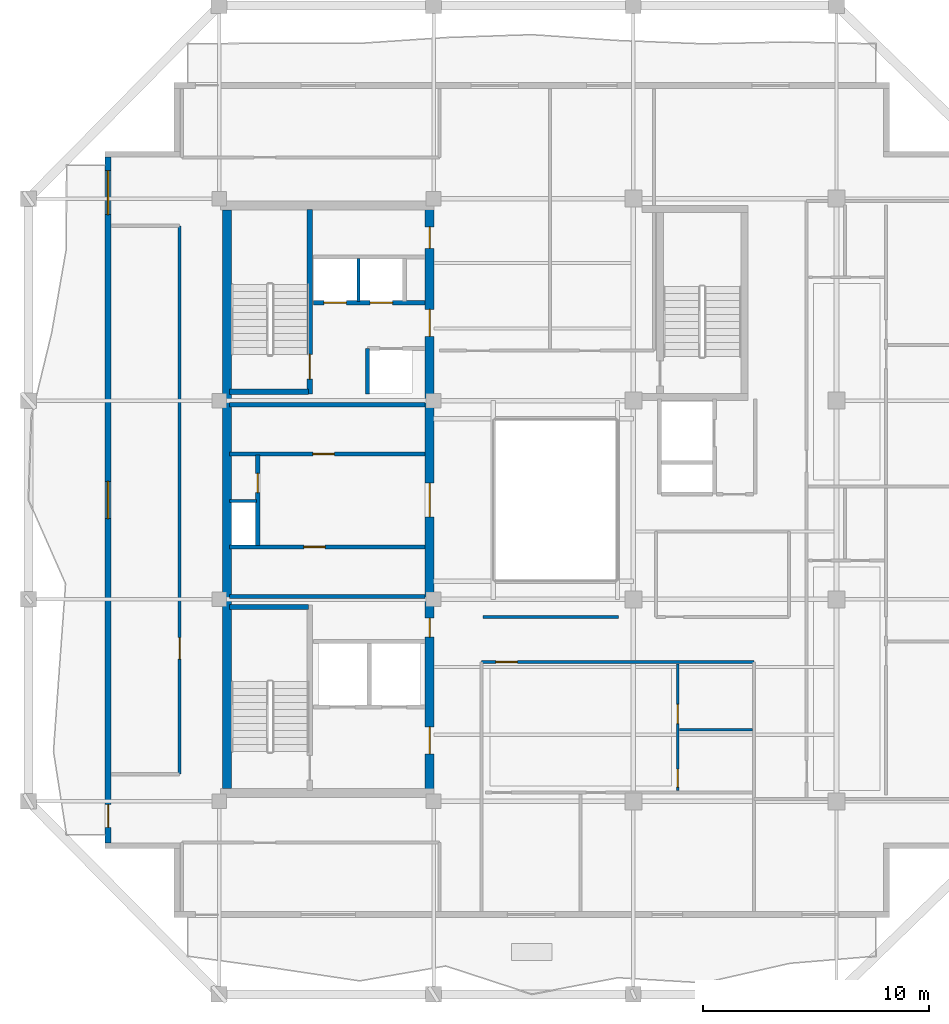
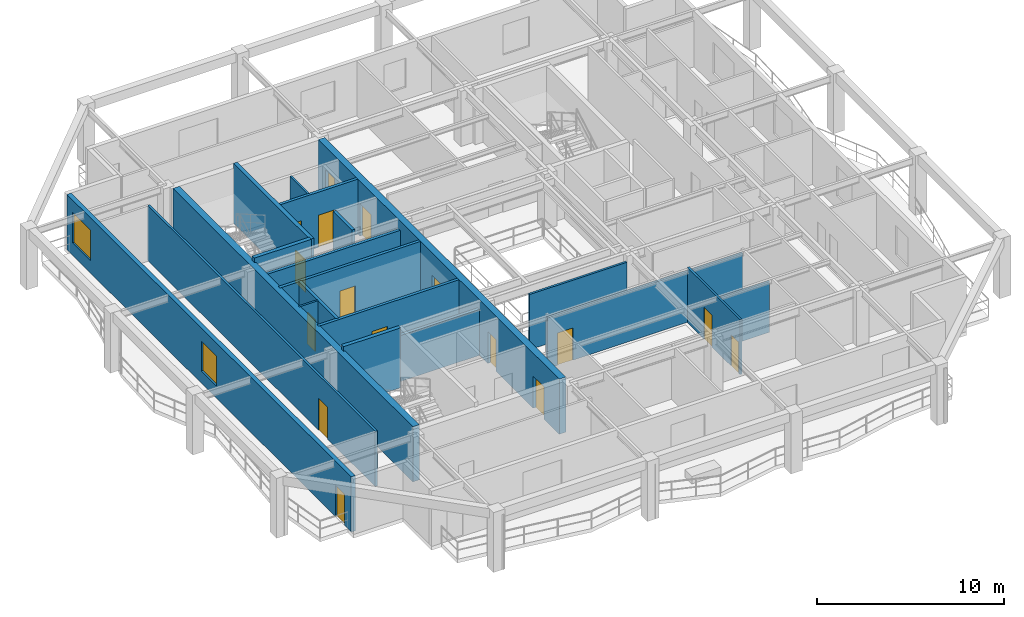
# One storey, part 3 of 10: 20 walls, 16 doors, 2 windows, 18 openings.
"""IFC4 building model written with IfcOpenShell, lengths in metres."""

from ifc_helpers import new_model, si_unit, direction, frame, frame_2d, origin, place, context, subcontext, project, spatial, rectangle, extrude, material, layer, layer_set, type_object, element, fill, save


model = new_model("IFC4")

# Units and contexts
model_context = context("Model", 3, precision=1e-05, world=origin(), true_north=direction((0.0, 1.0)))
body_context = subcontext(model_context, "Body", "Model", "MODEL_VIEW")
ifc_project = project(units=[si_unit("LENGTHUNIT", "METRE"), si_unit("AREAUNIT", "SQUARE_METRE"), si_unit("VOLUMEUNIT", "CUBIC_METRE"), si_unit("PLANEANGLEUNIT", "RADIAN"), si_unit("MASSUNIT", "GRAM", prefix="KILO")], contexts=[model_context])

# Site, building, storey
site_placement = place(None, origin())
site = spatial("IfcSite", under=ifc_project, at=site_placement, CompositionType="ELEMENT")
building_placement = place(site_placement, origin())
building = spatial("IfcBuilding", under=site, at=building_placement, Name="Kundavana Baori Tower", CompositionType="ELEMENT")
storey_placement = place(building_placement, frame((0.0, 0.0, 303.800048828125)))
storey = spatial("IfcBuildingStorey", under=building, at=storey_placement, Name="L75", CompositionType="ELEMENT", Elevation=303.800048828125)

# Wall
ifc_material_1 = material(Name="Concrete C50/60", Category="concrete")
ifc_layer_1 = layer(ifc_material_1, 0.39990234375, Name="WL-CORE-400")
ifc_layer_set_1 = layer_set([ifc_layer_1], Name="Concrete C50/60")
wall_type_1 = type_object("IfcWallType", Name="WL-CORE-400", PredefinedType="SHEAR", material=ifc_layer_set_1)
wall_1_placement = place(storey_placement, frame((15.7900390625, 15.81005859375, 0.0), z_axis=(0.0, 0.0, 1.0), x_axis=(0.0, 1.0, 0.0)))
element("IfcWall", 1, at=wall_1_placement, inside=storey, type_object=wall_type_1, Name="L75 Offset Core West Shear Wall", PredefinedType="SHEAR", context=body_context, shape_type="SweptSolid", body=[
    extrude(rectangle(XDim=25.6298828125, YDim=0.39990234375, at=frame_2d((12.81494140625, 0.0))), origin(), (0.0, 0.0, 1.0), 3.599853515625),
])

# Wall, openings, doors
wall_2_placement = place(storey_placement, frame((24.780029296875, 15.739990234375, 0.0), z_axis=(0.0, 0.0, 1.0), x_axis=(0.0, 1.0, 0.0)))
wall_2 = element("IfcWall", 2, at=wall_2_placement, inside=storey, type_object=wall_type_1, Name="L75 Offset Core East Shear Wall", PredefinedType="SHEAR", context=body_context, shape_type="SweptSolid", body=[
    extrude(rectangle(XDim=25.760009765625, YDim=0.39990234375, at=frame_2d((12.8798828125, 0.0))), origin(), (0.0, 0.0, 1.0), 3.599853515625),
])
opening_1_placement = place(wall_2_placement, frame((1.610107421875, 0.0, 0.0)))
opening_1 = element("IfcOpeningElement", 3, at=opening_1_placement, cuts=wall_2, Name="Opening FD-120", PredefinedType="OPENING", context=body_context, shape_type="SweptSolid", body=[
    extrude(rectangle(XDim=1.199951171875, YDim=2.10009765625, at=frame_2d((0.60009765625, 1.050048828125))), frame((0.0, 0.2099609375, 0.0), z_axis=(0.0, -1.0, 0.0), x_axis=(1.0, 0.0, 0.0)), (0.0, 0.0, 1.0), 0.419921875),
])
opening_2_placement = place(wall_2_placement, frame((6.780029296875, 0.0, 0.0)))
opening_2 = element("IfcOpeningElement", 4, at=opening_2_placement, cuts=wall_2, Name="Opening FD-085", PredefinedType="OPENING", context=body_context, shape_type="SweptSolid", body=[
    extrude(rectangle(XDim=0.85009765625, YDim=2.06005859375, at=frame_2d((0.425048828125, 1.030029296875))), frame((0.0, 0.2099609375, 0.0), z_axis=(0.0, -1.0, 0.0), x_axis=(1.0, 0.0, 0.0)), (0.0, 0.0, 1.0), 0.419921875),
])
opening_3_placement = place(wall_2_placement, frame((12.110107421875, 0.0, 0.0)))
opening_3 = element("IfcOpeningElement", 5, at=opening_3_placement, cuts=wall_2, Name="Opening FD-150", PredefinedType="OPENING", context=body_context, shape_type="SweptSolid", body=[
    extrude(rectangle(XDim=1.5, YDim=2.1201171875, at=frame_2d((0.75, 1.06005859375))), frame((0.0, 0.2099609375, 0.0), z_axis=(0.0, -1.0, 0.0), x_axis=(1.0, 0.0, 0.0)), (0.0, 0.0, 1.0), 0.419921875),
])
opening_4_placement = place(wall_2_placement, frame((20.110107421875, 0.0, 0.0)))
opening_4 = element("IfcOpeningElement", 6, at=opening_4_placement, cuts=wall_2, Name="Opening FD-122", PredefinedType="OPENING", context=body_context, shape_type="SweptSolid", body=[
    extrude(rectangle(XDim=1.199951171875, YDim=2.1201171875, at=frame_2d((0.60009765625, 1.06005859375))), frame((0.0, 0.2099609375, 0.0), z_axis=(0.0, -1.0, 0.0), x_axis=(1.0, 0.0, 0.0)), (0.0, 0.0, 1.0), 0.419921875),
])
opening_5_placement = place(wall_2_placement, frame((24.010009765625, 0.0, 0.0)))
opening_5 = element("IfcOpeningElement", 7, at=opening_5_placement, cuts=wall_2, Name="Opening FD-095", PredefinedType="OPENING", context=body_context, shape_type="SweptSolid", body=[
    extrude(rectangle(XDim=0.949951171875, YDim=2.10009765625, at=frame_2d((0.47509765625, 1.050048828125))), frame((0.0, 0.2099609375, 0.0), z_axis=(0.0, -1.0, 0.0), x_axis=(1.0, 0.0, 0.0)), (0.0, 0.0, 1.0), 0.419921875),
])
ifc_material_2 = material(Name="Galvanised Steel Fire-Rated Door Leaf", Category="steel")
door_type_1 = type_object("IfcDoorType", Name="DR-FD120-1200", OperationType="NOTDEFINED", PredefinedType="DOOR", material=ifc_material_2)
door_1_placement = place(opening_1_placement, frame((1.199951171875, 0.0, 0.0), z_axis=(0.0, 0.0, 1.0), x_axis=(-1.0, 0.0, 0.0)))
door_1 = element("IfcDoor", 8, at=door_1_placement, inside=storey, type_object=door_type_1, Name="DR-L75-FFLOB-E", OperationType="SINGLE_SWING_RIGHT", OverallHeight=2.10009765625, OverallWidth=1.199951171875, PredefinedType="DOOR", context=body_context, shape_type="SweptSolid", body=[
    extrude(rectangle(XDim=1.199951171875, YDim=2.10009765625, at=frame_2d((0.60009765625, 1.050048828125))), frame((0.0, 0.02490234375, 0.0), z_axis=(0.0, -1.0, 0.0), x_axis=(1.0, 0.0, 0.0)), (0.0, 0.0, 1.0), 0.050048828125),
])
fill(opening_1, door_1)
ifc_material_3 = material(Name="Galvanised Steel Fire-Rated Door Leaf", Category="steel")
door_type_2 = type_object("IfcDoorType", Name="DR-FD60-1200", OperationType="NOTDEFINED", PredefinedType="DOOR", material=ifc_material_3)
door_2_placement = place(opening_4_placement, frame((1.199951171875, 0.0, 0.0), z_axis=(0.0, 0.0, 1.0), x_axis=(-1.0, 0.0, 0.0)))
door_2 = element("IfcDoor", 9, at=door_2_placement, inside=storey, type_object=door_type_2, Name="DR-L75-HRLOB-E", OperationType="SINGLE_SWING_RIGHT", OverallHeight=2.1201171875, OverallWidth=1.199951171875, PredefinedType="DOOR", context=body_context, shape_type="SweptSolid", body=[
    extrude(rectangle(XDim=1.199951171875, YDim=2.1201171875, at=frame_2d((0.60009765625, 1.06005859375))), frame((0.0, 0.02490234375, 0.0), z_axis=(0.0, -1.0, 0.0), x_axis=(1.0, 0.0, 0.0)), (0.0, 0.0, 1.0), 0.050048828125),
])
fill(opening_4, door_2)
ifc_material_4 = material(Name="Galvanised Steel Fire-Rated Door Leaf", Category="steel")
door_type_3 = type_object("IfcDoorType", Name="DR-FD60-1500", OperationType="NOTDEFINED", PredefinedType="DOOR", material=ifc_material_4)
door_3_placement = place(opening_3_placement, frame((1.5, 0.0, 0.0), z_axis=(0.0, 0.0, 1.0), x_axis=(-1.0, 0.0, 0.0)))
door_3 = element("IfcDoor", 10, at=door_3_placement, inside=storey, type_object=door_type_3, Name="DR-L75-LIFTHALL-E", OperationType="SINGLE_SWING_LEFT", OverallHeight=2.1201171875, OverallWidth=1.5, PredefinedType="DOOR", context=body_context, shape_type="SweptSolid", body=[
    extrude(rectangle(XDim=1.5, YDim=2.1201171875, at=frame_2d((0.75, 1.06005859375))), frame((0.0, 0.02490234375, 0.0), z_axis=(0.0, -1.0, 0.0), x_axis=(1.0, 0.0, 0.0)), (0.0, 0.0, 1.0), 0.050048828125),
])
fill(opening_3, door_3)
ifc_material_5 = material(Name="Galvanised Steel Fire-Rated Door Leaf", Category="steel")
door_type_4 = type_object("IfcDoorType", Name="DR-FD60-850", OperationType="NOTDEFINED", PredefinedType="DOOR", material=ifc_material_5)
door_4_placement = place(opening_2_placement, frame((0.85009765625, 0.0, 0.0), z_axis=(0.0, 0.0, 1.0), x_axis=(-1.0, 0.0, 0.0)))
door_4 = element("IfcDoor", 11, at=door_4_placement, inside=storey, type_object=door_type_4, Name="DR-L75-CSMK1", OperationType="SINGLE_SWING_LEFT", OverallHeight=2.06005859375, OverallWidth=0.85009765625, PredefinedType="DOOR", context=body_context, shape_type="SweptSolid", body=[
    extrude(rectangle(XDim=0.85009765625, YDim=2.06005859375, at=frame_2d((0.425048828125, 1.030029296875))), frame((0.0, 0.02490234375, 0.0), z_axis=(0.0, -1.0, 0.0), x_axis=(1.0, 0.0, 0.0)), (0.0, 0.0, 1.0), 0.050048828125),
])
fill(opening_2, door_4)
ifc_material_6 = material(Name="Engineered Teak Fire-Rated Timber Door Leaf", Category="wood")
door_type_5 = type_object("IfcDoorType", Name="DR-FD60-950", OperationType="NOTDEFINED", PredefinedType="DOOR", material=ifc_material_6)
door_5_placement = place(opening_5_placement, frame((0.949951171875, 0.0, 0.0), z_axis=(0.0, 0.0, 1.0), x_axis=(-1.0, 0.0, 0.0)))
door_5 = element("IfcDoor", 12, at=door_5_placement, inside=storey, type_object=door_type_5, Name="DR-L75-CSRV1", OperationType="SINGLE_SWING_LEFT", OverallHeight=2.10009765625, OverallWidth=0.949951171875, PredefinedType="DOOR", context=body_context, shape_type="SweptSolid", body=[
    extrude(rectangle(XDim=0.949951171875, YDim=2.10009765625, at=frame_2d((0.47509765625, 1.050048828125))), frame((0.0, 0.02490234375, 0.0), z_axis=(0.0, -1.0, 0.0), x_axis=(1.0, 0.0, 0.0)), (0.0, 0.0, 1.0), 0.050048828125),
])
fill(opening_5, door_5)

# Wall
wall_3_placement = place(storey_placement, frame((15.89990234375, 23.860107421875, 0.0), z_axis=(0.0, 0.0, 1.0), x_axis=(1.0, 0.0, 0.0)))
element("IfcWall", 13, at=wall_3_placement, inside=storey, type_object=wall_type_1, Name="WL-L75-ST1-N", PredefinedType="SHEAR", context=body_context, shape_type="SweptSolid", body=[
    extrude(rectangle(XDim=3.52001953125, YDim=0.239990234375, at=frame_2d((1.760009765625, 0.0))), origin(), (0.0, 0.0, 1.0), 3.89990234375),
])

# Wall, opening, door
wall_4_placement = place(storey_placement, frame((19.4599609375, 33.300048828125, 0.0), z_axis=(0.0, 0.0, 1.0), x_axis=(0.0, 1.0, 0.0)))
wall_4 = element("IfcWall", 14, at=wall_4_placement, inside=storey, type_object=wall_type_1, Name="WL-L75-ST2-E", PredefinedType="SHEAR", context=body_context, shape_type="SweptSolid", body=[
    extrude(rectangle(XDim=8.179931640625, YDim=0.239990234375, at=frame_2d((4.08984375, 0.0))), origin(), (0.0, 0.0, 1.0), 3.89990234375),
])
opening_6_placement = place(wall_4_placement, frame((0.64990234375, 0.0, 0.0)))
opening_6 = element("IfcOpeningElement", 15, at=opening_6_placement, cuts=wall_4, Name="Opening FD-110", PredefinedType="OPENING", context=body_context, shape_type="SweptSolid", body=[
    extrude(rectangle(XDim=1.10009765625, YDim=2.10009765625, at=frame_2d((0.550048828125, 1.050048828125))), frame((0.0, 0.1298828125, 0.0), z_axis=(0.0, -1.0, 0.0), x_axis=(1.0, 0.0, 0.0)), (0.0, 0.0, 1.0), 0.260009765625),
])
ifc_material_7 = material(Name="Galvanised Steel Fire-Rated Door Leaf", Category="steel")
door_type_6 = type_object("IfcDoorType", Name="DR-FD120-1100", OperationType="NOTDEFINED", PredefinedType="DOOR", material=ifc_material_7)
door_6_placement = place(opening_6_placement, origin())
door_6 = element("IfcDoor", 16, at=door_6_placement, inside=storey, type_object=door_type_6, Name="DR-L75-ST2", OperationType="SINGLE_SWING_RIGHT", OverallHeight=2.10009765625, OverallWidth=1.10009765625, PredefinedType="DOOR", context=body_context, shape_type="SweptSolid", body=[
    extrude(rectangle(XDim=1.10009765625, YDim=2.10009765625, at=frame_2d((0.550048828125, 1.050048828125))), frame((0.0, 0.02490234375, 0.0), z_axis=(0.0, -1.0, 0.0), x_axis=(1.0, 0.0, 0.0)), (0.0, 0.0, 1.0), 0.050048828125),
])
fill(opening_6, door_6)

# Wall
wall_5_placement = place(storey_placement, frame((15.89990234375, 33.389892578125, 0.0), z_axis=(0.0, 0.0, 1.0), x_axis=(1.0, 0.0, 0.0)))
element("IfcWall", 17, at=wall_5_placement, inside=storey, type_object=wall_type_1, Name="WL-L75-ST2-S", PredefinedType="SHEAR", context=body_context, shape_type="SweptSolid", body=[
    extrude(rectangle(XDim=3.52001953125, YDim=0.239990234375, at=frame_2d((1.760009765625, 0.0))), origin(), (0.0, 0.0, 1.0), 3.89990234375),
])

# Wall, openings, door, windows
ifc_material_8 = material(Name="Kiln-Fired Terracotta Brick-Slip Masonry on Concrete C40/50", Category="masonry")
ifc_layer_2 = layer(ifc_material_8, 0.260009765625, Name="WL-EXT-BRK-260")
ifc_layer_set_2 = layer_set([ifc_layer_2], Name="Kiln-Fired Terracotta Brick-Slip Masonry on Concrete C40/50")
wall_type_2 = type_object("IfcWallType", Name="WL-EXT-BRK-260", PredefinedType="SOLIDWALL", material=ifc_layer_set_2)
wall_6_placement = place(storey_placement, frame((10.530029296875, 43.7900390625, 0.0), z_axis=(0.0, 0.0, 1.0), x_axis=(0.0, -1.0, 0.0)))
wall_6 = element("IfcWall", 18, at=wall_6_placement, inside=storey, type_object=wall_type_2, Name="L75 Exterior Insulated Facade Wall 10", PredefinedType="SOLIDWALL", context=body_context, shape_type="SweptSolid", body=[
    extrude(rectangle(XDim=30.380126953125, YDim=0.260009765625, at=frame_2d((15.18994140625, 0.0))), origin(), (0.0, 0.0, 1.0), 3.599853515625),
])
opening_7_placement = place(wall_6_placement, frame((28.68994140625, 0.0, 0.0)))
opening_7 = element("IfcOpeningElement", 19, at=opening_7_placement, cuts=wall_6, Name="Opening BD-1", PredefinedType="OPENING", context=body_context, shape_type="SweptSolid", body=[
    extrude(rectangle(XDim=1.0, YDim=2.050048828125, at=frame_2d((0.5, 1.02490234375))), frame((0.0, 0.14013671875, 0.0), z_axis=(0.0, -1.0, 0.0), x_axis=(1.0, 0.0, 0.0)), (0.0, 0.0, 1.0), 0.280029296875),
])
opening_8_placement = place(wall_6_placement, frame((14.364990234375, 0.0, 0.800048828125)))
opening_8 = element("IfcOpeningElement", 20, at=opening_8_placement, cuts=wall_6, Name="Opening W-08", PredefinedType="OPENING", context=body_context, shape_type="SweptSolid", body=[
    extrude(rectangle(XDim=1.64990234375, YDim=1.949951171875, at=frame_2d((0.824951171875, 0.97509765625))), frame((0.0, 0.14013671875, 0.0), z_axis=(0.0, -1.0, 0.0), x_axis=(1.0, 0.0, 0.0)), (0.0, 0.0, 1.0), 0.280029296875),
])
opening_9_placement = place(wall_6_placement, frame((0.60009765625, 0.0, 0.800048828125)))
opening_9 = element("IfcOpeningElement", 21, at=opening_9_placement, cuts=wall_6, Name="Opening W-09", PredefinedType="OPENING", context=body_context, shape_type="SweptSolid", body=[
    extrude(rectangle(XDim=1.949951171875, YDim=2.0, at=frame_2d((0.97509765625, 1.0))), frame((0.0, 0.14013671875, 0.0), z_axis=(0.0, -1.0, 0.0), x_axis=(1.0, 0.0, 0.0)), (0.0, 0.0, 1.0), 0.280029296875),
])
ifc_material_9 = material(Name="Architectural Patinated Bronze Metalwork")
door_type_7 = type_object("IfcDoorType", Name="DR-EXT-LOG-1000", OperationType="NOTDEFINED", PredefinedType="DOOR", material=ifc_material_9)
door_7_placement = place(opening_7_placement, frame((1.0, 0.0, 0.0), z_axis=(0.0, 0.0, 1.0), x_axis=(-1.0, 0.0, 0.0)))
door_7 = element("IfcDoor", 22, at=door_7_placement, inside=storey, type_object=door_type_7, Name="L75 Loggia Balcony Access Door W", OperationType="SINGLE_SWING_RIGHT", OverallHeight=2.050048828125, OverallWidth=1.0, PredefinedType="DOOR", context=body_context, shape_type="SweptSolid", body=[
    extrude(rectangle(XDim=1.0, YDim=2.050048828125, at=frame_2d((0.5, 1.02490234375))), frame((0.0, 0.02490234375, 0.0), z_axis=(0.0, -1.0, 0.0), x_axis=(1.0, 0.0, 0.0)), (0.0, 0.0, 1.0), 0.050048828125),
])
fill(opening_7, door_7)
ifc_material_10 = material(Name="Double-Glazed Solar-Control Low-E Insulated Glass", Category="glass")
window_type_1 = type_object("IfcWindowType", Name="WIN-LOG-1650x1950", PartitioningType="SINGLE_PANEL", PredefinedType="WINDOW", material=ifc_material_10)
window_1_placement = place(opening_8_placement, origin())
window_1 = element("IfcWindow", 23, at=window_1_placement, inside=storey, type_object=window_type_1, Name="L75 Recessed Loggia Window W-2", OverallHeight=1.949951171875, OverallWidth=1.64990234375, PartitioningType="SINGLE_PANEL", PredefinedType="WINDOW", context=body_context, shape_type="SweptSolid", body=[
    extrude(rectangle(XDim=1.64990234375, YDim=1.949951171875, at=frame_2d((0.824951171875, 0.97509765625))), frame((0.0, 0.030029296875, 0.0), z_axis=(0.0, -1.0, 0.0), x_axis=(1.0, 0.0, 0.0)), (0.0, 0.0, 1.0), 0.06005859375),
])
fill(opening_8, window_1)
ifc_material_11 = material(Name="Double-Glazed Solar-Control Low-E Insulated Glass", Category="glass")
window_type_2 = type_object("IfcWindowType", Name="WIN-LOG-1950x2000", PartitioningType="SINGLE_PANEL", PredefinedType="WINDOW", material=ifc_material_11)
window_2_placement = place(opening_9_placement, origin())
window_2 = element("IfcWindow", 24, at=window_2_placement, inside=storey, type_object=window_type_2, Name="L75 Recessed Loggia Window W-3", OverallHeight=2.0, OverallWidth=1.949951171875, PartitioningType="SINGLE_PANEL", PredefinedType="WINDOW", context=body_context, shape_type="SweptSolid", body=[
    extrude(rectangle(XDim=1.949951171875, YDim=2.0, at=frame_2d((0.97509765625, 1.0))), frame((0.0, 0.030029296875, 0.0), z_axis=(0.0, -1.0, 0.0), x_axis=(1.0, 0.0, 0.0)), (0.0, 0.0, 1.0), 0.06005859375),
])
fill(opening_9, window_2)

# Walls
ifc_material_12 = material(Name="Acoustic Gypsum Plasterboard on Galvanised Steel Studs", Category="steel")
ifc_layer_3 = layer(ifc_material_12, 0.1201171875, Name="WL-PART-120")
ifc_layer_set_3 = layer_set([ifc_layer_3], Name="Acoustic Gypsum Plasterboard on Galvanised Steel Studs")
wall_type_3 = type_object("IfcWallType", Name="WL-PART-120", PredefinedType="PARTITIONING", material=ifc_layer_set_3)
wall_7_placement = place(storey_placement, frame((15.89990234375, 28.56005859375, 0.0), z_axis=(0.0, 0.0, 1.0), x_axis=(1.0, 0.0, 0.0)))
element("IfcWall", 25, at=wall_7_placement, inside=storey, type_object=wall_type_3, Name="WL-L75-RSRW-N", PredefinedType="PARTITIONING", context=body_context, shape_type="SweptSolid", body=[
    extrude(rectangle(XDim=1.2001953125, YDim=0.1201171875, at=frame_2d((0.60009765625, 0.0))), origin(), (0.0, 0.0, 1.0), 3.599853515625),
])
wall_8_placement = place(storey_placement, frame((21.6201171875, 37.39990234375, 0.0), z_axis=(0.0, 0.0, 1.0), x_axis=(0.0, 1.0, 0.0)))
element("IfcWall", 26, at=wall_8_placement, inside=storey, type_object=wall_type_3, Name="WL-L75-HR-DIV1", PredefinedType="PARTITIONING", context=body_context, shape_type="SweptSolid", body=[
    extrude(rectangle(XDim=1.900146484375, YDim=0.1201171875, at=frame_2d((0.9501953125, 0.0))), origin(), (0.0, 0.0, 1.0), 3.599853515625),
])

# Wall, opening, door
ifc_material_13 = material(Name="Acoustic Gypsum Plasterboard on Galvanised Steel Studs", Category="steel")
ifc_layer_4 = layer(ifc_material_13, 0.135009765625, Name="WL-PART-135")
ifc_layer_set_4 = layer_set([ifc_layer_4], Name="Acoustic Gypsum Plasterboard on Galvanised Steel Studs")
wall_type_4 = type_object("IfcWallType", Name="WL-PART-135", PredefinedType="PARTITIONING", material=ifc_layer_set_4)
wall_9_placement = place(storey_placement, frame((27.080078125, 21.419921875, 0.0), z_axis=(0.0, 0.0, 1.0), x_axis=(1.0, 0.0, 0.0)))
wall_9 = element("IfcWall", 27, at=wall_9_placement, inside=storey, type_object=wall_type_4, Name="WL-L75-RS", PredefinedType="PARTITIONING", context=body_context, shape_type="SweptSolid", body=[
    extrude(rectangle(XDim=12.06982421875, YDim=0.135009765625, at=frame_2d((6.034912109375, 0.0))), origin(), (0.0, 0.0, 1.0), 3.300048828125),
])
opening_10_placement = place(wall_9_placement, frame((0.6298828125, 0.0, 0.0)))
opening_10 = element("IfcOpeningElement", 28, at=opening_10_placement, cuts=wall_9, Name="Opening FD-095", PredefinedType="OPENING", context=body_context, shape_type="SweptSolid", body=[
    extrude(rectangle(XDim=0.949951171875, YDim=2.10009765625, at=frame_2d((0.47509765625, 1.050048828125))), frame((0.0, 0.07763671875, 0.0), z_axis=(0.0, -1.0, 0.0), x_axis=(1.0, 0.0, 0.0)), (0.0, 0.0, 1.0), 0.155029296875),
])
door_8_placement = place(opening_10_placement, frame((0.949951171875, 0.0, 0.0), z_axis=(0.0, 0.0, 1.0), x_axis=(-1.0, 0.0, 0.0)))
door_8 = element("IfcDoor", 29, at=door_8_placement, inside=storey, type_object=door_type_5, Name="DR-L75-S1-ENT", OperationType="SINGLE_SWING_RIGHT", OverallHeight=2.10009765625, OverallWidth=0.949951171875, PredefinedType="DOOR", context=body_context, shape_type="SweptSolid", body=[
    extrude(rectangle(XDim=0.949951171875, YDim=2.10009765625, at=frame_2d((0.47509765625, 1.050048828125))), frame((0.0, 0.02490234375, 0.0), z_axis=(0.0, -1.0, 0.0), x_axis=(1.0, 0.0, 0.0)), (0.0, 0.0, 1.0), 0.050048828125),
])
fill(opening_10, door_8)

# Wall
wall_10_placement = place(storey_placement, frame((27.14990234375, 23.419921875, 0.0), z_axis=(0.0, 0.0, 1.0), x_axis=(1.0, 0.0, 0.0)))
element("IfcWall", 30, at=wall_10_placement, inside=storey, type_object=wall_type_4, Name="WL-L75-RST", PredefinedType="PARTITIONING", context=body_context, shape_type="SweptSolid", body=[
    extrude(rectangle(XDim=6.0, YDim=0.135009765625, at=frame_2d((3.0, 0.0))), origin(), (0.0, 0.0, 1.0), 3.599853515625),
])

# Wall, opening, door
wall_11_placement = place(storey_placement, frame((13.699951171875, 16.449951171875, 0.0), z_axis=(0.0, 0.0, 1.0), x_axis=(0.0, 1.0, 0.0)))
wall_11 = element("IfcWall", 31, at=wall_11_placement, inside=storey, type_object=wall_type_4, Name="WL-L75-RW", PredefinedType="PARTITIONING", context=body_context, shape_type="SweptSolid", body=[
    extrude(rectangle(XDim=24.300048828125, YDim=0.135009765625, at=frame_2d((12.14990234375, 0.0))), origin(), (0.0, 0.0, 1.0), 3.599853515625),
])
opening_11_placement = place(wall_11_placement, frame((5.10009765625, 0.0, 0.0)))
opening_11 = element("IfcOpeningElement", 32, at=opening_11_placement, cuts=wall_11, Name="Opening ID-095", PredefinedType="OPENING", context=body_context, shape_type="SweptSolid", body=[
    extrude(rectangle(XDim=0.949951171875, YDim=2.080078125, at=frame_2d((0.47509765625, 1.0400390625))), frame((0.0, 0.07763671875, 0.0), z_axis=(0.0, -1.0, 0.0), x_axis=(1.0, 0.0, 0.0)), (0.0, 0.0, 1.0), 0.155029296875),
])
ifc_material_14 = material(Name="Engineered Teak Solid-Core Timber Veneer", Category="wood")
door_type_8 = type_object("IfcDoorType", Name="DR-INT-950", OperationType="NOTDEFINED", PredefinedType="DOOR", material=ifc_material_14)
door_9_placement = place(opening_11_placement, origin())
door_9 = element("IfcDoor", 33, at=door_9_placement, inside=storey, type_object=door_type_8, Name="DR-L75-RLNGW", OperationType="SINGLE_SWING_LEFT", OverallHeight=2.080078125, OverallWidth=0.949951171875, PredefinedType="DOOR", context=body_context, shape_type="SweptSolid", body=[
    extrude(rectangle(XDim=0.949951171875, YDim=2.080078125, at=frame_2d((0.47509765625, 1.0400390625))), frame((0.0, 0.02490234375, 0.0), z_axis=(0.0, -1.0, 0.0), x_axis=(1.0, 0.0, 0.0)), (0.0, 0.0, 1.0), 0.050048828125),
])
fill(opening_11, door_9)

ifc_material_15 = material(Name="Autoclaved Aerated Concrete Blockwork Masonry", Category="masonry")
ifc_layer_5 = layer(ifc_material_15, 0.179931640625, Name="WL-SHAFT-180")
ifc_layer_set_5 = layer_set([ifc_layer_5], Name="Autoclaved Aerated Concrete Blockwork Masonry")
wall_type_5 = type_object("IfcWallType", Name="WL-SHAFT-180", PredefinedType="SOLIDWALL", material=ifc_layer_set_5)
wall_12_placement = place(storey_placement, frame((15.89990234375, 26.52001953125, 0.0), z_axis=(0.0, 0.0, 1.0), x_axis=(1.0, 0.0, 0.0)))
wall_12 = element("IfcWall", 34, at=wall_12_placement, inside=storey, type_object=wall_type_5, Name="WL-L75-LPLOW-N", PredefinedType="SOLIDWALL", context=body_context, shape_type="SweptSolid", body=[
    extrude(rectangle(XDim=8.68017578125, YDim=0.179931640625, at=frame_2d((4.340087890625, 0.0))), origin(), (0.0, 0.0, 1.0), 3.599853515625),
])
opening_12_placement = place(wall_12_placement, frame((3.300048828125, 0.0, 0.0)))
opening_12 = element("IfcOpeningElement", 35, at=opening_12_placement, cuts=wall_12, Name="Opening FD-095", PredefinedType="OPENING", context=body_context, shape_type="SweptSolid", body=[
    extrude(rectangle(XDim=0.949951171875, YDim=2.10009765625, at=frame_2d((0.47509765625, 1.050048828125))), frame((0.0, 0.10009765625, 0.0), z_axis=(0.0, -1.0, 0.0), x_axis=(1.0, 0.0, 0.0)), (0.0, 0.0, 1.0), 0.199951171875),
])
door_10_placement = place(opening_12_placement, origin())
door_10 = element("IfcDoor", 36, at=door_10_placement, inside=storey, type_object=door_type_5, Name="DR-L75-FRLOW1", OperationType="SINGLE_SWING_LEFT", OverallHeight=2.10009765625, OverallWidth=0.949951171875, PredefinedType="DOOR", context=body_context, shape_type="SweptSolid", body=[
    extrude(rectangle(XDim=0.949951171875, YDim=2.10009765625, at=frame_2d((0.47509765625, 1.050048828125))), frame((0.0, 0.02490234375, 0.0), z_axis=(0.0, -1.0, 0.0), x_axis=(1.0, 0.0, 0.0)), (0.0, 0.0, 1.0), 0.050048828125),
])
fill(opening_12, door_10)

# Wall
wall_13_placement = place(storey_placement, frame((15.89990234375, 24.330078125, 0.0), z_axis=(0.0, 0.0, 1.0), x_axis=(1.0, 0.0, 0.0)))
element("IfcWall", 37, at=wall_13_placement, inside=storey, type_object=wall_type_5, Name="WL-L75-LPLOW-S", PredefinedType="SOLIDWALL", context=body_context, shape_type="SweptSolid", body=[
    extrude(rectangle(XDim=8.68017578125, YDim=0.179931640625, at=frame_2d((4.340087890625, 0.0))), origin(), (0.0, 0.0, 1.0), 3.0),
])

# Wall, opening, door
wall_14_placement = place(storey_placement, frame((17.159912109375, 26.580078125, 0.0), z_axis=(0.0, 0.0, 1.0), x_axis=(0.0, 1.0, 0.0)))
wall_14 = element("IfcWall", 38, at=wall_14_placement, inside=storey, type_object=wall_type_5, Name="WL-L75-RSRW-E", PredefinedType="SOLIDWALL", context=body_context, shape_type="SweptSolid", body=[
    extrude(rectangle(XDim=4.02001953125, YDim=0.179931640625, at=frame_2d((2.010009765625, 0.0))), origin(), (0.0, 0.0, 1.0), 3.599853515625),
])
opening_13_placement = place(wall_14_placement, frame((2.35009765625, 0.0, 0.0)))
opening_13 = element("IfcOpeningElement", 39, at=opening_13_placement, cuts=wall_14, Name="Opening FD-085", PredefinedType="OPENING", context=body_context, shape_type="SweptSolid", body=[
    extrude(rectangle(XDim=0.85009765625, YDim=2.06005859375, at=frame_2d((0.425048828125, 1.030029296875))), frame((0.0, 0.10009765625, 0.0), z_axis=(0.0, -1.0, 0.0), x_axis=(1.0, 0.0, 0.0)), (0.0, 0.0, 1.0), 0.199951171875),
])
door_11_placement = place(opening_13_placement, origin())
door_11 = element("IfcDoor", 40, at=door_11_placement, inside=storey, type_object=door_type_4, Name="DR-L75-CLN", OperationType="SINGLE_SWING_RIGHT", OverallHeight=2.06005859375, OverallWidth=0.85009765625, PredefinedType="DOOR", context=body_context, shape_type="SweptSolid", body=[
    extrude(rectangle(XDim=0.85009765625, YDim=2.06005859375, at=frame_2d((0.425048828125, 1.030029296875))), frame((0.0, 0.02490234375, 0.0), z_axis=(0.0, -1.0, 0.0), x_axis=(1.0, 0.0, 0.0)), (0.0, 0.0, 1.0), 0.050048828125),
])
fill(opening_13, door_11)

wall_15_placement = place(storey_placement, frame((15.89990234375, 30.639892578125, 0.0), z_axis=(0.0, 0.0, 1.0), x_axis=(1.0, 0.0, 0.0)))
wall_15 = element("IfcWall", 41, at=wall_15_placement, inside=storey, type_object=wall_type_5, Name="WL-L75-LPMID-S", PredefinedType="SOLIDWALL", context=body_context, shape_type="SweptSolid", body=[
    extrude(rectangle(XDim=8.68017578125, YDim=0.179931640625, at=frame_2d((4.340087890625, 0.0))), origin(), (0.0, 0.0, 1.0), 3.599853515625),
])
opening_14_placement = place(wall_15_placement, frame((3.699951171875, 0.0, 0.0)))
opening_14 = element("IfcOpeningElement", 42, at=opening_14_placement, cuts=wall_15, Name="Opening FD-095", PredefinedType="OPENING", context=body_context, shape_type="SweptSolid", body=[
    extrude(rectangle(XDim=0.949951171875, YDim=2.10009765625, at=frame_2d((0.47509765625, 1.050048828125))), frame((0.0, 0.10009765625, 0.0), z_axis=(0.0, -1.0, 0.0), x_axis=(1.0, 0.0, 0.0)), (0.0, 0.0, 1.0), 0.199951171875),
])
door_12_placement = place(opening_14_placement, frame((0.949951171875, 0.0, 0.0), z_axis=(0.0, 0.0, 1.0), x_axis=(-1.0, 0.0, 0.0)))
door_12 = element("IfcDoor", 43, at=door_12_placement, inside=storey, type_object=door_type_5, Name="DR-L75-FRMID1", OperationType="SINGLE_SWING_RIGHT", OverallHeight=2.10009765625, OverallWidth=0.949951171875, PredefinedType="DOOR", context=body_context, shape_type="SweptSolid", body=[
    extrude(rectangle(XDim=0.949951171875, YDim=2.10009765625, at=frame_2d((0.47509765625, 1.050048828125))), frame((0.0, 0.02490234375, 0.0), z_axis=(0.0, -1.0, 0.0), x_axis=(1.0, 0.0, 0.0)), (0.0, 0.0, 1.0), 0.050048828125),
])
fill(opening_14, door_12)

# Walls
wall_16_placement = place(storey_placement, frame((15.89990234375, 32.820068359375, 0.0), z_axis=(0.0, 0.0, 1.0), x_axis=(1.0, 0.0, 0.0)))
element("IfcWall", 44, at=wall_16_placement, inside=storey, type_object=wall_type_5, Name="WL-L75-LPMID-N", PredefinedType="SOLIDWALL", context=body_context, shape_type="SweptSolid", body=[
    extrude(rectangle(XDim=8.68017578125, YDim=0.179931640625, at=frame_2d((4.340087890625, 0.0))), origin(), (0.0, 0.0, 1.0), 3.0),
])
wall_17_placement = place(storey_placement, frame((22.02001953125, 33.300048828125, 0.0), z_axis=(0.0, 0.0, 1.0), x_axis=(0.0, 1.0, 0.0)))
element("IfcWall", 45, at=wall_17_placement, inside=storey, type_object=wall_type_5, Name="WL-L75-LP11-W", PredefinedType="SOLIDWALL", context=body_context, shape_type="SweptSolid", body=[
    extrude(rectangle(XDim=2.010009765625, YDim=0.179931640625, at=frame_2d((1.0048828125, 0.0))), origin(), (0.0, 0.0, 1.0), 3.599853515625),
])

# Wall, openings, doors
wall_18_placement = place(storey_placement, frame((19.639892578125, 37.340087890625, 0.0), z_axis=(0.0, 0.0, 1.0), x_axis=(1.0, 0.0, 0.0)))
wall_18 = element("IfcWall", 46, at=wall_18_placement, inside=storey, type_object=wall_type_5, Name="WL-L75-HRLOB-N", PredefinedType="SOLIDWALL", context=body_context, shape_type="SweptSolid", body=[
    extrude(rectangle(XDim=4.940185546875, YDim=0.179931640625, at=frame_2d((2.47021484375, 0.0))), origin(), (0.0, 0.0, 1.0), 3.599853515625),
])
opening_15_placement = place(wall_18_placement, frame((0.449951171875, 0.0, 0.0)))
opening_15 = element("IfcOpeningElement", 47, at=opening_15_placement, cuts=wall_18, Name="Opening LD-100", PredefinedType="OPENING", context=body_context, shape_type="SweptSolid", body=[
    extrude(rectangle(XDim=1.0, YDim=2.10009765625, at=frame_2d((0.5, 1.050048828125))), frame((0.0, 0.10009765625, 0.0), z_axis=(0.0, -1.0, 0.0), x_axis=(1.0, 0.0, 0.0)), (0.0, 0.0, 1.0), 0.199951171875),
])
opening_16_placement = place(wall_18_placement, frame((2.5, 0.0, 0.0)))
opening_16 = element("IfcOpeningElement", 48, at=opening_16_placement, cuts=wall_18, Name="Opening LD-100", PredefinedType="OPENING", context=body_context, shape_type="SweptSolid", body=[
    extrude(rectangle(XDim=1.0, YDim=2.10009765625, at=frame_2d((0.5, 1.050048828125))), frame((0.0, 0.10009765625, 0.0), z_axis=(0.0, -1.0, 0.0), x_axis=(1.0, 0.0, 0.0)), (0.0, 0.0, 1.0), 0.199951171875),
])
ifc_material_16 = material(Name="Galvanised Steel Fire-Rated Door Leaf", Category="steel")
door_type_9 = type_object("IfcDoorType", Name="DR-SLIDE-LD1000", OperationType="NOTDEFINED", PredefinedType="DOOR", material=ifc_material_16)
door_13_placement = place(opening_15_placement, frame((1.0, 0.0, 0.0), z_axis=(0.0, 0.0, 1.0), x_axis=(-1.0, 0.0, 0.0)))
door_13 = element("IfcDoor", 49, at=door_13_placement, inside=storey, type_object=door_type_9, Name="DR-L75-LD-LP09", OperationType="DOUBLE_DOOR_SLIDING", OverallHeight=2.10009765625, OverallWidth=1.0, PredefinedType="DOOR", context=body_context, shape_type="SweptSolid", body=[
    extrude(rectangle(XDim=1.0, YDim=2.10009765625, at=frame_2d((0.5, 1.050048828125))), frame((0.0, 0.02490234375, 0.0), z_axis=(0.0, -1.0, 0.0), x_axis=(1.0, 0.0, 0.0)), (0.0, 0.0, 1.0), 0.050048828125),
])
fill(opening_15, door_13)
door_14_placement = place(opening_16_placement, frame((1.0, 0.0, 0.0), z_axis=(0.0, 0.0, 1.0), x_axis=(-1.0, 0.0, 0.0)))
door_14 = element("IfcDoor", 50, at=door_14_placement, inside=storey, type_object=door_type_9, Name="DR-L75-LD-LP10", OperationType="DOUBLE_DOOR_SLIDING", OverallHeight=2.10009765625, OverallWidth=1.0, PredefinedType="DOOR", context=body_context, shape_type="SweptSolid", body=[
    extrude(rectangle(XDim=1.0, YDim=2.10009765625, at=frame_2d((0.5, 1.050048828125))), frame((0.0, 0.02490234375, 0.0), z_axis=(0.0, -1.0, 0.0), x_axis=(1.0, 0.0, 0.0)), (0.0, 0.0, 1.0), 0.050048828125),
])
fill(opening_16, door_14)

ifc_material_17 = material(Name="Autoclaved Aerated Concrete Blockwork Masonry", Category="masonry")
ifc_layer_6 = layer(ifc_material_17, 0.125, Name="WL-WET-120")
ifc_layer_set_6 = layer_set([ifc_layer_6], Name="Autoclaved Aerated Concrete Blockwork Masonry")
wall_type_6 = type_object("IfcWallType", Name="WL-WET-120", PredefinedType="PLUMBINGWALL", material=ifc_layer_set_6)
wall_19_placement = place(storey_placement, frame((35.77001953125, 15.720947265625, 0.0), z_axis=(0.0, 0.0, 1.0), x_axis=(0.0, 1.0, 0.0)))
wall_19 = element("IfcWall", 51, at=wall_19_placement, inside=storey, type_object=wall_type_6, Name="WL-L75-S1-KT", PredefinedType="PLUMBINGWALL", context=body_context, shape_type="SweptSolid", body=[
    extrude(rectangle(XDim=5.619140625, YDim=0.125, at=frame_2d((2.8095703125, 0.0))), origin(), (0.0, 0.0, 1.0), 3.599853515625),
])
opening_17_placement = place(wall_19_placement, frame((0.159912109375, 0.0, 0.0)))
opening_17 = element("IfcOpeningElement", 52, at=opening_17_placement, cuts=wall_19, Name="Opening WD-080", PredefinedType="OPENING", context=body_context, shape_type="SweptSolid", body=[
    extrude(rectangle(XDim=0.800048828125, YDim=2.050048828125, at=frame_2d((0.39990234375, 1.02490234375))), frame((0.0, 0.072509765625, 0.0), z_axis=(0.0, -1.0, 0.0), x_axis=(1.0, 0.0, 0.0)), (0.0, 0.0, 1.0), 0.14501953125),
])
opening_18_placement = place(wall_19_placement, frame((2.97705078125, 0.0, 0.0)))
opening_18 = element("IfcOpeningElement", 53, at=opening_18_placement, cuts=wall_19, Name="Opening ID-085", PredefinedType="OPENING", context=body_context, shape_type="SweptSolid", body=[
    extrude(rectangle(XDim=0.85009765625, YDim=2.080078125, at=frame_2d((0.425048828125, 1.0400390625))), frame((0.0, 0.072509765625, 0.0), z_axis=(0.0, -1.0, 0.0), x_axis=(1.0, 0.0, 0.0)), (0.0, 0.0, 1.0), 0.14501953125),
])
ifc_material_18 = material(Name="Engineered Teak Solid-Core Timber Veneer", Category="wood")
door_type_10 = type_object("IfcDoorType", Name="DR-INT-850", OperationType="NOTDEFINED", PredefinedType="DOOR", material=ifc_material_18)
door_15_placement = place(opening_18_placement, origin())
door_15 = element("IfcDoor", 54, at=door_15_placement, inside=storey, type_object=door_type_10, Name="DR-L75-S1-KT", OperationType="SINGLE_SWING_RIGHT", OverallHeight=2.080078125, OverallWidth=0.85009765625, PredefinedType="DOOR", context=body_context, shape_type="SweptSolid", body=[
    extrude(rectangle(XDim=0.85009765625, YDim=2.080078125, at=frame_2d((0.425048828125, 1.0400390625))), frame((0.0, 0.02490234375, 0.0), z_axis=(0.0, -1.0, 0.0), x_axis=(1.0, 0.0, 0.0)), (0.0, 0.0, 1.0), 0.050048828125),
])
fill(opening_18, door_15)
ifc_material_19 = material(Name="Engineered Teak Solid-Core Timber Veneer", Category="wood")
door_type_11 = type_object("IfcDoorType", Name="DR-WET-800", OperationType="NOTDEFINED", PredefinedType="DOOR", material=ifc_material_19)
door_16_placement = place(opening_17_placement, origin())
door_16 = element("IfcDoor", 55, at=door_16_placement, inside=storey, type_object=door_type_11, Name="DR-L75-S1-BT", OperationType="SINGLE_SWING_LEFT", OverallHeight=2.050048828125, OverallWidth=0.800048828125, PredefinedType="DOOR", context=body_context, shape_type="SweptSolid", body=[
    extrude(rectangle(XDim=0.800048828125, YDim=2.050048828125, at=frame_2d((0.39990234375, 1.02490234375))), frame((0.0, 0.02490234375, 0.0), z_axis=(0.0, -1.0, 0.0), x_axis=(1.0, 0.0, 0.0)), (0.0, 0.0, 1.0), 0.050048828125),
])
fill(opening_17, door_16)

# Wall
wall_20_placement = place(storey_placement, frame((35.85009765625, 18.41796875, 0.0), z_axis=(0.0, 0.0, 1.0), x_axis=(1.0, 0.0, 0.0)))
element("IfcWall", 56, at=wall_20_placement, inside=storey, type_object=wall_type_6, Name="WL-L75-S1-BT", PredefinedType="PLUMBINGWALL", context=body_context, shape_type="SweptSolid", body=[
    extrude(rectangle(XDim=3.219970703125, YDim=0.125, at=frame_2d((1.60986328125, 0.0))), origin(), (0.0, 0.0, 1.0), 3.300048828125),
])

save(model, "model.ifc")
